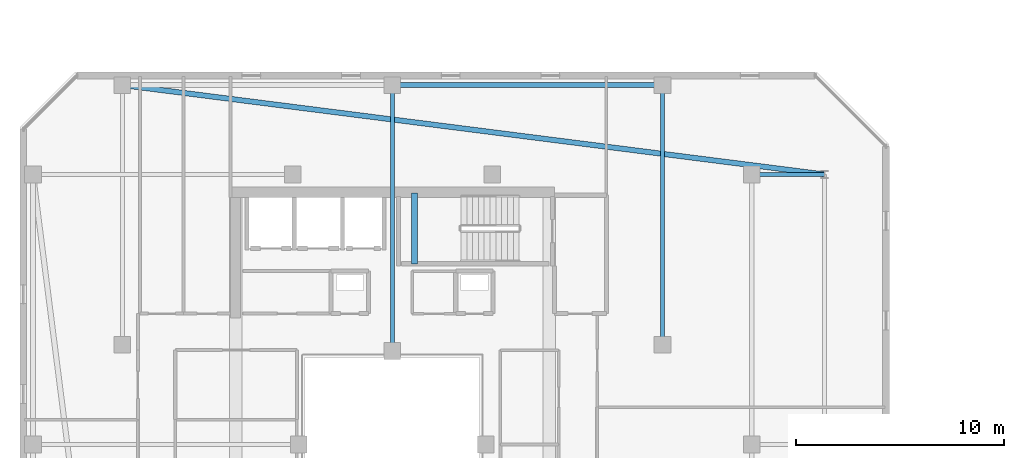
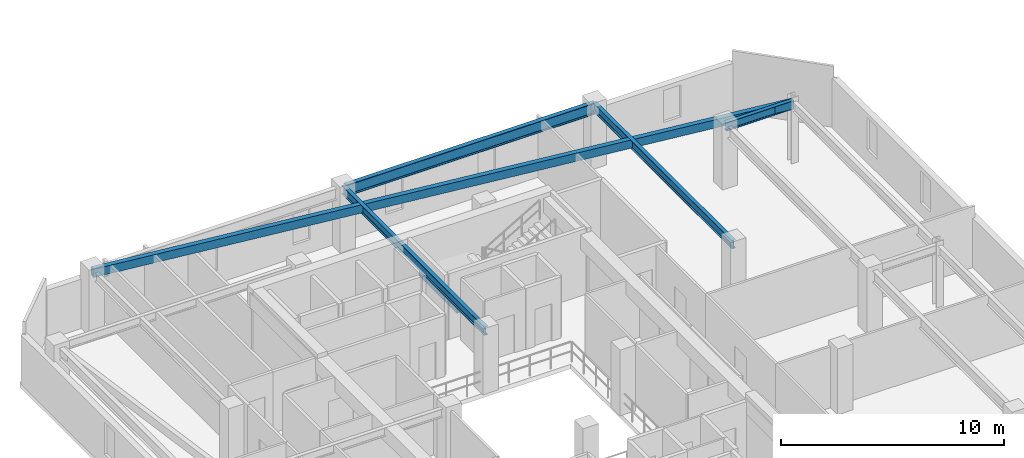
# One storey, part 11 of 35: 6 beams.
"""IFC4 building model written with IfcOpenShell, lengths in metres."""

from ifc_helpers import new_model, si_unit, direction, frame, origin, origin_2d, place, context, subcontext, project, spatial, rectangle, hollow_rectangle, i_section, extrude, material, material_profile, profile_set, type_object, element, save


model = new_model("IFC4")

# Units and contexts
model_context = context("Model", 3, precision=1e-05, world=origin(), true_north=direction((0.0, 1.0)))
body_context = subcontext(model_context, "Body", "Model", "MODEL_VIEW")
ifc_project = project(units=[si_unit("LENGTHUNIT", "METRE"), si_unit("AREAUNIT", "SQUARE_METRE"), si_unit("VOLUMEUNIT", "CUBIC_METRE"), si_unit("PLANEANGLEUNIT", "RADIAN"), si_unit("MASSUNIT", "GRAM", prefix="KILO")], contexts=[model_context])

# Site, building, storey
site_placement = place(None, origin())
site = spatial("IfcSite", under=ifc_project, at=site_placement, CompositionType="ELEMENT")
building_placement = place(site_placement, origin())
building = spatial("IfcBuilding", under=site, at=building_placement, Name="Thornwick Lancets Civic Towers", CompositionType="ELEMENT")
storey_placement = place(building_placement, frame((0.0, 0.0, 265.5)))
storey = spatial("IfcBuildingStorey", under=building, at=storey_placement, Name="L71", CompositionType="ELEMENT", Elevation=265.5)

# Beams
ifc_material_1 = material(Name="Steel S355JR", Category="steel")
ifc_material_profile_1 = material_profile(ifc_material_1, i_section(OverallWidth=0.230224609375, OverallDepth=0.6171875, WebThickness=0.01318359375, FlangeThickness=0.022216796875, FilletRadius=0.0126953125, at=origin_2d()), Name="UKB 610x229x140")
ifc_profile_set_1 = profile_set([ifc_material_profile_1], Name="Steel S355JR")
beam_type_1 = type_object("IfcBeamType", Name="BM_GIRD_610_140", PredefinedType="BEAM", material=ifc_profile_set_1)
beam_1_placement = place(storey_placement, frame((25.580078125, 44.300048828125, 3.051513671875), z_axis=(1.0, 0.0, 0.0), x_axis=(0.0, 1.0, 0.0)))
element("IfcBeam", 1, at=beam_1_placement, inside=storey, type_object=beam_type_1, Name="BM-SPINE-L71-A-7-8", PredefinedType="BEAM", context=body_context, shape_type="SweptSolid", body=[
    extrude(i_section(OverallWidth=0.230224609375, OverallDepth=0.6171875, WebThickness=0.01318359375, FlangeThickness=0.022216796875, FilletRadius=0.0126953125, at=origin_2d()), origin(), (0.0, 0.0, 1.0), 12.919921875),
])
ifc_material_profile_2 = material_profile(ifc_material_1, i_section(OverallWidth=0.19287109375, OverallDepth=0.46728515625, WebThickness=0.011474609375, FlangeThickness=0.01953125, FilletRadius=0.01025390625, at=origin_2d()), Name="UKB 457x191x98")
ifc_profile_set_2 = profile_set([ifc_material_profile_2], Name="Steel S355JR")
beam_type_2 = type_object("IfcBeamType", Name="BM_JOIST_457_98", PredefinedType="JOIST", material=ifc_profile_set_2)
beam_2_placement = place(storey_placement, frame((42.800048828125, 40.0, 3.12646484375), z_axis=(1.0, 0.0, 0.0), x_axis=(0.0, 1.0, 0.0)))
element("IfcBeam", 2, at=beam_2_placement, inside=storey, type_object=beam_type_2, Name="BM-RAD-L71-A06", PredefinedType="JOIST", context=body_context, shape_type="SweptSolid", body=[
    extrude(i_section(OverallWidth=0.19287109375, OverallDepth=0.46728515625, WebThickness=0.011474609375, FlangeThickness=0.01953125, FilletRadius=0.01025390625, at=origin_2d()), origin(), (0.0, 0.0, 1.0), 3.5),
])
beam_3_placement = place(storey_placement, frame((25.5, 31.5, 3.12646484375), z_axis=(0.0, 1.0, 0.0), x_axis=(-1.0, 0.0, 0.0)))
element("IfcBeam", 3, at=beam_3_placement, inside=storey, type_object=beam_type_2, Name="BM-RADIN-L71-A08", PredefinedType="JOIST", context=body_context, shape_type="SweptSolid", body=[
    extrude(i_section(OverallWidth=0.19287109375, OverallDepth=0.46728515625, WebThickness=0.011474609375, FlangeThickness=0.01953125, FilletRadius=0.01025390625, at=origin_2d()), origin(), (0.0, 0.0, 1.0), 12.800048828125),
])
beam_4_placement = place(storey_placement, frame((38.5, 31.800048828125, 3.12646484375), z_axis=(0.0, 1.0, 0.0), x_axis=(-1.0, 0.0, 0.0)))
element("IfcBeam", 4, at=beam_4_placement, inside=storey, type_object=beam_type_2, Name="BM-RADIN-L71-A09", PredefinedType="JOIST", context=body_context, shape_type="SweptSolid", body=[
    extrude(i_section(OverallWidth=0.19287109375, OverallDepth=0.46728515625, WebThickness=0.011474609375, FlangeThickness=0.01953125, FilletRadius=0.01025390625, at=origin_2d()), origin(), (0.0, 0.0, 1.0), 12.5),
])
ifc_material_profile_3 = material_profile(ifc_material_1, hollow_rectangle(XDim=0.25, YDim=0.449951171875, WallThickness=0.01611328125, at=origin_2d()), Name="RHS 450x250x16")
ifc_profile_set_3 = profile_set([ifc_material_profile_3], Name="Steel S355JR")
beam_type_3 = type_object("IfcBeamType", Name="BM_RING_RHS450", PredefinedType="BEAM", material=ifc_profile_set_3)
beam_5_placement = place(storey_placement, frame((46.300048828125, 40.0, 3.135009765625), z_axis=(-0.992004437051, 0.126202998662, 0.0), x_axis=(-0.126202998662, -0.992004437051, 0.0)))
element("IfcBeam", 5, at=beam_5_placement, inside=storey, type_object=beam_type_3, Name="BM-CHAMF-L71-A-C1", PredefinedType="BEAM", context=body_context, shape_type="SweptSolid", body=[
    extrude(hollow_rectangle(XDim=0.25, YDim=0.449951171875, WallThickness=0.01611328125, at=origin_2d()), origin(), (0.0, 0.0, 1.0), 34.072509765625),
])
ifc_material_2 = material(Name="Concrete C40/50", Category="concrete")
ifc_material_profile_4 = material_profile(ifc_material_2, rectangle(XDim=0.300048828125, YDim=0.35009765625, at=origin_2d()), Name="RC 300x350")
ifc_profile_set_4 = profile_set([ifc_material_profile_4], Name="Concrete C40/50")
beam_type_4 = type_object("IfcBeamType", Name="BM_STAIR_LDG", PredefinedType="BEAM", material=ifc_profile_set_4)
beam_6_placement = place(storey_placement, frame((26.56494140625, 39.10009765625, 1.3779296875), z_axis=(0.0, -1.0, 0.0), x_axis=(1.0, 0.0, 0.0)))
element("IfcBeam", 6, at=beam_6_placement, inside=storey, type_object=beam_type_4, Name="L71 ST-A2 Landing Support Beam 1", PredefinedType="BEAM", context=body_context, shape_type="SweptSolid", body=[
    extrude(rectangle(XDim=0.300048828125, YDim=0.35009765625, at=origin_2d()), origin(), (0.0, 0.0, 1.0), 3.400146484375),
])

save(model, "model.ifc")
